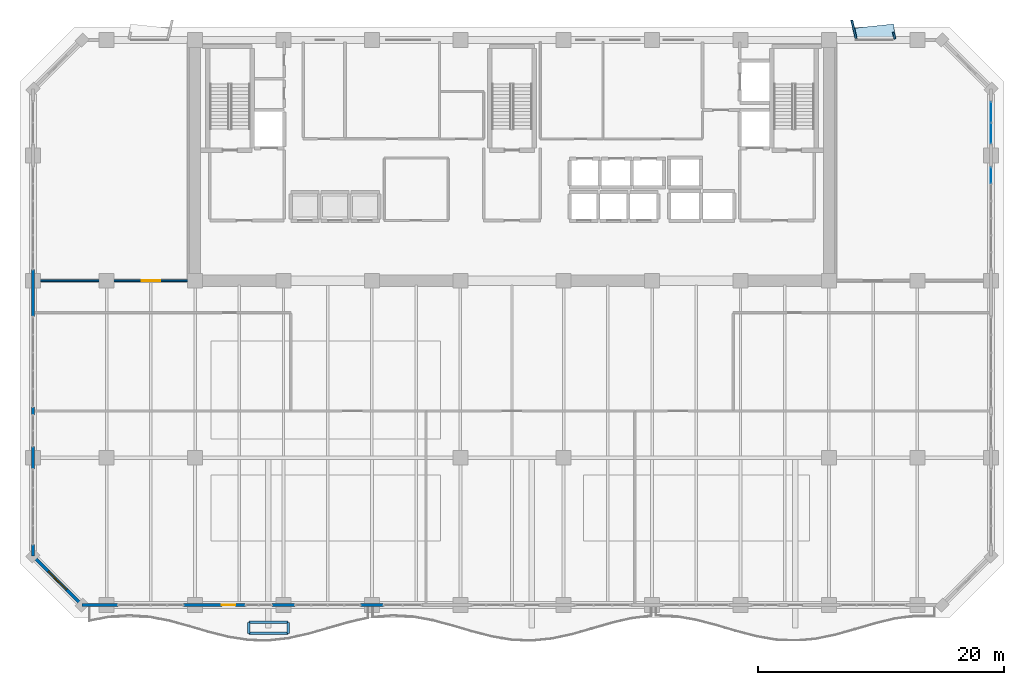
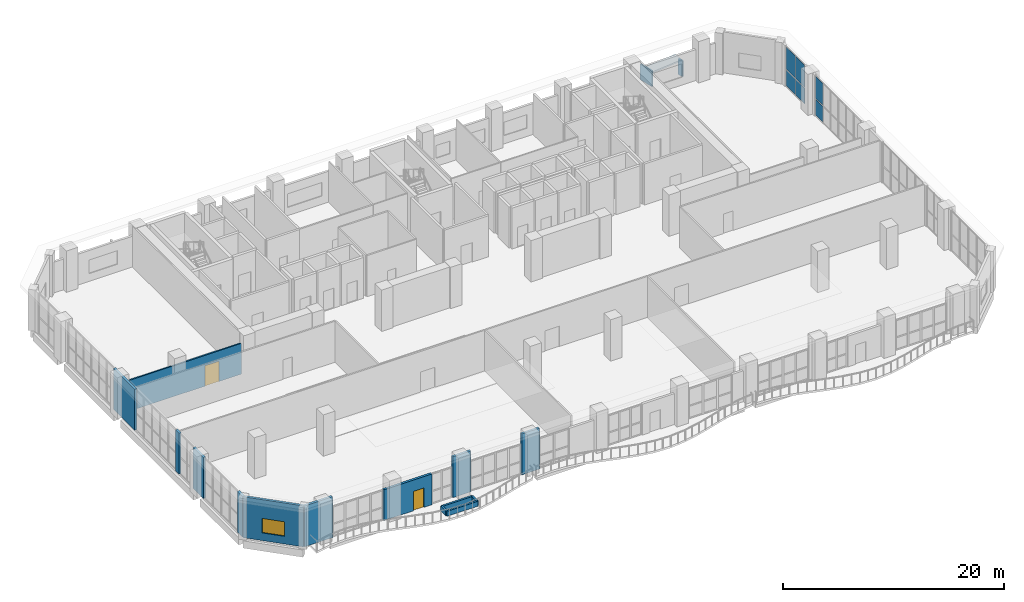
# One storey, part 28 of 37: 14 walls, 9 plates, 2 doors, 1 window, 3 openings, 2 elements without a shape of their own.
"""IFC4 building model written with IfcOpenShell, lengths in metres."""

from ifc_helpers import new_model, si_unit, direction, frame, frame_2d, origin, origin_2d, place, context, subcontext, project, spatial, rectangle, extrude, material, layer, layer_set, type_object, element, fill, aggregate, save


model = new_model("IFC4")

# Units and contexts
model_context = context("Model", 3, precision=1e-05, world=origin(), true_north=direction((0.0, 1.0)))
body_context = subcontext(model_context, "Body", "Model", "MODEL_VIEW")
ifc_project = project(units=[si_unit("LENGTHUNIT", "METRE"), si_unit("AREAUNIT", "SQUARE_METRE"), si_unit("VOLUMEUNIT", "CUBIC_METRE"), si_unit("PLANEANGLEUNIT", "RADIAN"), si_unit("MASSUNIT", "GRAM", prefix="KILO")], contexts=[model_context])

# Site, building, storey
site_placement = place(None, origin())
site = spatial("IfcSite", under=ifc_project, at=site_placement, CompositionType="ELEMENT")
building_placement = place(site_placement, origin())
building = spatial("IfcBuilding", under=site, at=building_placement, Name="Kaelvorn Grand Hotel", CompositionType="ELEMENT")
storey_placement = place(building_placement, frame((0.0, 0.0, 224.35009765625)))
storey = spatial("IfcBuildingStorey", under=building, at=storey_placement, Name="L55", CompositionType="ELEMENT", Elevation=224.35009765625)

# Curtain wall, plates
ifc_material_1 = material(Name="Anodised Aluminium", Category="aluminium")
ifc_layer_1 = layer(ifc_material_1, 0.179931640625)
ifc_layer_set_1 = layer_set([ifc_layer_1], Name="Anodised Aluminium")
curtain_wall_type = type_object("IfcCurtainWallType", Name="CW-SYS4", PredefinedType="NOTDEFINED", material=ifc_layer_set_1)
curtain_wall_1_placement = place(storey_placement, origin())
curtain_wall_1 = element("IfcCurtainWall", 1, at=curtain_wall_1_placement, inside=storey, type_object=curtain_wall_type, Name="L55 Unitised Curtain Wall CW4 (CW-L55-E-04)", PredefinedType="NOTDEFINED")
ifc_material_2 = material(Name="Laminated Low-E Glass", Category="glass")
ifc_layer_2 = layer(ifc_material_2, 0.028076171875)
ifc_layer_set_2 = layer_set([ifc_layer_2], Name="Laminated Low-E Glass")
plate_type_1 = type_object("IfcPlateType", Name="CW-SYS4-PAN", PredefinedType="CURTAIN_PANEL", material=ifc_layer_set_2)
plate_1_placement = place(storey_placement, frame((81.0, 37.9658203125, 0.135009765625), z_axis=(0.0, 0.0, 1.0), x_axis=(0.0, 1.0, 0.0)))
plate_1 = element("IfcPlate", 2, at=plate_1_placement, type_object=plate_type_1, Name="CW4 panel 6.1", PredefinedType="CURTAIN_PANEL", context=body_context, shape_type="SweptSolid", body=[
    extrude(rectangle(XDim=1.288330078125, YDim=0.028076171875, at=origin_2d()), origin(), (0.0, 0.0, 1.0), 1.69580078125),
])
plate_2_placement = place(storey_placement, frame((81.0, 37.9658203125, 1.9658203125), z_axis=(0.0, 0.0, 1.0), x_axis=(0.0, 1.0, 0.0)))
plate_2 = element("IfcPlate", 3, at=plate_2_placement, type_object=plate_type_1, Name="CW4 panel 6.2", PredefinedType="CURTAIN_PANEL", context=body_context, shape_type="SweptSolid", body=[
    extrude(rectangle(XDim=1.288330078125, YDim=0.028076171875, at=origin_2d()), origin(), (0.0, 0.0, 1.0), 2.419189453125),
])
aggregate(curtain_wall_1, [plate_1, plate_2])

curtain_wall_2_placement = place(storey_placement, origin())
curtain_wall_2 = element("IfcCurtainWall", 4, at=curtain_wall_2_placement, inside=storey, type_object=curtain_wall_type, Name="L55 Unitised Curtain Wall CW4 (CW-L55-E-05)", PredefinedType="NOTDEFINED")
plate_3_placement = place(storey_placement, frame((81.0, 41.407470703125, 0.135009765625), z_axis=(0.0, 0.0, 1.0), x_axis=(0.0, 1.0, 0.0)))
plate_3 = element("IfcPlate", 5, at=plate_3_placement, type_object=plate_type_1, Name="CW4 panel 1.1", PredefinedType="CURTAIN_PANEL", context=body_context, shape_type="SweptSolid", body=[
    extrude(rectangle(XDim=1.635009765625, YDim=0.028076171875, at=origin_2d()), origin(), (0.0, 0.0, 1.0), 1.69580078125),
])
plate_4_placement = place(storey_placement, frame((81.0, 41.407470703125, 1.9658203125), z_axis=(0.0, 0.0, 1.0), x_axis=(0.0, 1.0, 0.0)))
plate_4 = element("IfcPlate", 6, at=plate_4_placement, type_object=plate_type_1, Name="CW4 panel 1.2", PredefinedType="CURTAIN_PANEL", context=body_context, shape_type="SweptSolid", body=[
    extrude(rectangle(XDim=1.635009765625, YDim=0.028076171875, at=origin_2d()), origin(), (0.0, 0.0, 1.0), 2.419189453125),
])
plate_5_placement = place(storey_placement, frame((81.0, 43.112548828125, 0.135009765625), z_axis=(0.0, 0.0, 1.0), x_axis=(0.0, 1.0, 0.0)))
plate_5 = element("IfcPlate", 7, at=plate_5_placement, type_object=plate_type_1, Name="CW4 panel 2.1", PredefinedType="CURTAIN_PANEL", context=body_context, shape_type="SweptSolid", body=[
    extrude(rectangle(XDim=1.635009765625, YDim=0.028076171875, at=origin_2d()), origin(), (0.0, 0.0, 1.0), 1.69580078125),
])
plate_6_placement = place(storey_placement, frame((81.0, 43.112548828125, 1.9658203125), z_axis=(0.0, 0.0, 1.0), x_axis=(0.0, 1.0, 0.0)))
plate_6 = element("IfcPlate", 8, at=plate_6_placement, type_object=plate_type_1, Name="CW4 panel 2.2", PredefinedType="CURTAIN_PANEL", context=body_context, shape_type="SweptSolid", body=[
    extrude(rectangle(XDim=1.635009765625, YDim=0.028076171875, at=origin_2d()), origin(), (0.0, 0.0, 1.0), 2.419189453125),
])
aggregate(curtain_wall_2, [plate_3, plate_4, plate_5, plate_6])

# Plates
ifc_material_3 = material(Name="Precast concrete C45/55", Category="concrete")
ifc_layer_3 = layer(ifc_material_3, 0.159912109375)
ifc_layer_set_3 = layer_set([ifc_layer_3], Name="Precast concrete C45/55")
plate_type_2 = type_object("IfcPlateType", Name="PL-FRAME-DEEP-1550", PredefinedType="USERDEFINED", material=ifc_layer_set_3)
plate_7_placement = place(storey_placement, frame((69.8349609375, 49.85498046875, 0.73974609375), z_axis=(0.0, 0.0, 1.0), x_axis=(0.972369920398, 0.233445363856, 0.0)))
element("IfcPlate", 9, at=plate_7_placement, inside=storey, type_object=plate_type_2, Name="L55 Tilted Precast Window Frame Fin L-N02", ObjectType="FLANGE_PLATE", PredefinedType="USERDEFINED", context=body_context, shape_type="SweptSolid", body=[
    extrude(rectangle(XDim=0.159912109375, YDim=1.550048828125, at=origin_2d()), origin(), (0.0, 0.0, 1.0), 1.719970703125),
])
ifc_layer_4 = layer(ifc_material_3, 0.159912109375)
ifc_layer_set_4 = layer_set([ifc_layer_4], Name="Precast concrete C45/55")
plate_type_3 = type_object("IfcPlateType", Name="PL-FRAME-HEAD-1050", PredefinedType="USERDEFINED", material=ifc_layer_set_4)
plate_8_placement = place(storey_placement, frame((71.47509765625, 49.60498046875, 2.35009765625), z_axis=(0.0, 0.0, 1.0), x_axis=(0.994384215926, 0.105830199459, 0.0)))
element("IfcPlate", 10, at=plate_8_placement, inside=storey, type_object=plate_type_3, Name="L55 Precast Window Frame Head Hood H-N02", ObjectType="FLANGE_PLATE", PredefinedType="USERDEFINED", context=body_context, shape_type="SweptSolid", body=[
    extrude(rectangle(XDim=3.320068359375, YDim=1.050048828125, at=origin_2d()), origin(), (0.0, 0.0, 1.0), 0.159912109375),
])
ifc_layer_5 = layer(ifc_material_3, 0.159912109375)
ifc_layer_set_5 = layer_set([ifc_layer_5], Name="Precast concrete C45/55")
plate_type_4 = type_object("IfcPlateType", Name="PL-FRAME-SHAL-550", PredefinedType="USERDEFINED", material=ifc_layer_set_5)
plate_9_placement = place(storey_placement, frame((73.114990234375, 49.35498046875, 0.73974609375), z_axis=(0.0, 0.0, 1.0), x_axis=(0.972369920398, 0.233445363856, 0.0)))
element("IfcPlate", 11, at=plate_9_placement, inside=storey, type_object=plate_type_4, Name="L55 Tilted Precast Window Frame Fin R-N02", ObjectType="FLANGE_PLATE", PredefinedType="USERDEFINED", context=body_context, shape_type="SweptSolid", body=[
    extrude(rectangle(XDim=0.159912109375, YDim=0.550048828125, at=origin_2d()), origin(), (0.0, 0.0, 1.0), 1.719970703125),
])

# Wall
ifc_material_4 = material(Name="Concrete C40/50", Category="concrete")
ifc_layer_6 = layer(ifc_material_4, 0.239990234375)
ifc_layer_set_6 = layer_set([ifc_layer_6], Name="Concrete C40/50")
wall_type_1 = type_object("IfcWallType", Name="WL-EXT-240-C40", PredefinedType="SOLIDWALL", material=ifc_layer_set_6)
wall_1_placement = place(storey_placement, frame((7.0, 3.0, 0.0), z_axis=(0.0, 0.0, 1.0), x_axis=(1.0, 0.0, 0.0)))
element("IfcWall", 12, at=wall_1_placement, inside=storey, type_object=wall_type_1, Name="L55 Exterior Architectural Concrete Wall 01 Pier 1", PredefinedType="SOLIDWALL", context=body_context, shape_type="SweptSolid", body=[
    extrude(rectangle(XDim=2.925048828125, YDim=0.239990234375, at=frame_2d((1.46240234375, 0.0))), origin(), (0.0, 0.0, 1.0), 4.52001953125),
])

# Wall, opening, door
wall_2_placement = place(storey_placement, frame((15.27490234375, 3.0, 0.0), z_axis=(0.0, 0.0, 1.0), x_axis=(1.0, 0.0, 0.0)))
wall_2 = element("IfcWall", 13, at=wall_2_placement, inside=storey, type_object=wall_type_1, Name="L55 Exterior Architectural Concrete Wall 01 Pier 2", PredefinedType="SOLIDWALL", context=body_context, shape_type="SweptSolid", body=[
    extrude(rectangle(XDim=5.013427734375, YDim=0.239990234375, at=frame_2d((2.5068359375, 0.0))), origin(), (0.0, 0.0, 1.0), 3.39990234375),
])
opening_1_placement = place(wall_2_placement, frame((3.1083984375, 0.0, 0.0)))
opening_1 = element("IfcOpeningElement", 14, at=opening_1_placement, cuts=wall_2, Name="Opening DE2", PredefinedType="OPENING", context=body_context, shape_type="SweptSolid", body=[
    extrude(rectangle(XDim=1.10009765625, YDim=2.14990234375, at=frame_2d((0.550048828125, 1.074951171875))), frame((0.0, 0.1298828125, 0.0), z_axis=(0.0, -1.0, 0.0), x_axis=(1.0, 0.0, 0.0)), (0.0, 0.0, 1.0), 0.260009765625),
])
door_type_1 = type_object("IfcDoorType", Name="DR-EXT-BALC-1100x2150", OperationType="NOTDEFINED", PredefinedType="DOOR", material=ifc_material_1)
door_1_placement = place(opening_1_placement, origin())
door_1 = element("IfcDoor", 15, at=door_1_placement, inside=storey, type_object=door_type_1, Name="L55 Scalloped Balcony Glazed Door DE2-1", OperationType="SINGLE_SWING_RIGHT", OverallHeight=2.14990234375, OverallWidth=1.10009765625, PredefinedType="DOOR", context=body_context, shape_type="SweptSolid", body=[
    extrude(rectangle(XDim=1.10009765625, YDim=2.14990234375, at=frame_2d((0.550048828125, 1.074951171875))), frame((0.0, 0.02490234375, 0.0), z_axis=(0.0, -1.0, 0.0), x_axis=(1.0, 0.0, 0.0)), (0.0, 0.0, 1.0), 0.050048828125),
])
fill(opening_1, door_1)

# Walls
for number, where, z_axis, x_axis, name in (
    (16, (22.47509765625, 3.0, 0.0), (0.0, 0.0, 1.0), (1.0, 0.0, 0.0), "L55 Exterior Architectural Concrete Wall 01 Pier 3"),
    (17, (29.675048828125, 3.0, 0.0), (0.0, 0.0, 1.0), (1.0, 0.0, 0.0), "L55 Exterior Architectural Concrete Wall 01 Pier 4"),
):
    element("IfcWall", number, at=place(storey_placement, frame(where, z_axis=z_axis, x_axis=x_axis)), inside=storey, type_object=wall_type_1, Name=name, PredefinedType="SOLIDWALL", context=body_context, shape_type="SweptSolid", body=[
        extrude(rectangle(XDim=1.849853515625, YDim=0.239990234375, at=frame_2d((0.9248046875, 0.0))), origin(), (0.0, 0.0, 1.0), 4.52001953125),
    ])
wall_3_placement = place(storey_placement, frame((3.0, 30.324951171875, 0.0), z_axis=(0.0, 0.0, 1.0), x_axis=(0.0, -1.0, 0.0)))
element("IfcWall", 18, at=wall_3_placement, inside=storey, type_object=wall_type_1, Name="L55 Exterior Architectural Concrete Wall 07 Pier 3", PredefinedType="SOLIDWALL", context=body_context, shape_type="SweptSolid", body=[
    extrude(rectangle(XDim=3.849853515625, YDim=0.239990234375, at=frame_2d((1.9248046875, 0.0))), origin(), (0.0, 0.0, 1.0), 4.52001953125),
])
wall_4_placement = place(storey_placement, frame((3.0, 19.125, 0.0), z_axis=(0.0, 0.0, 1.0), x_axis=(0.0, -1.0, 0.0)))
element("IfcWall", 19, at=wall_4_placement, inside=storey, type_object=wall_type_1, Name="L55 Exterior Architectural Concrete Wall 07 Pier 4", PredefinedType="SOLIDWALL", context=body_context, shape_type="SweptSolid", body=[
    extrude(rectangle(XDim=0.64990234375, YDim=0.239990234375, at=frame_2d((0.324951171875, 0.0))), origin(), (0.0, 0.0, 1.0), 4.52001953125),
])
wall_5_placement = place(storey_placement, frame((3.0, 15.925048828125, 0.0), z_axis=(0.0, 0.0, 1.0), x_axis=(0.0, -1.0, 0.0)))
element("IfcWall", 20, at=wall_5_placement, inside=storey, type_object=wall_type_1, Name="L55 Exterior Architectural Concrete Wall 07 Pier 5", PredefinedType="SOLIDWALL", context=body_context, shape_type="SweptSolid", body=[
    extrude(rectangle(XDim=1.85009765625, YDim=0.239990234375, at=frame_2d((0.925048828125, 0.0))), origin(), (0.0, 0.0, 1.0), 4.52001953125),
])
wall_6_placement = place(storey_placement, frame((3.0, 7.925048828125, 0.0), z_axis=(0.0, 0.0, 1.0), x_axis=(0.0, -1.0, 0.0)))
element("IfcWall", 21, at=wall_6_placement, inside=storey, type_object=wall_type_1, Name="L55 Exterior Architectural Concrete Wall 07 Pier 6", PredefinedType="SOLIDWALL", context=body_context, shape_type="SweptSolid", body=[
    extrude(rectangle(XDim=0.925048828125, YDim=0.239990234375, at=frame_2d((0.46240234375, 0.0))), origin(), (0.0, 0.0, 1.0), 4.52001953125),
])

# Wall, opening, window
wall_7_placement = place(storey_placement, frame((3.0, 7.0, 0.0), z_axis=(0.0, 0.0, 1.0), x_axis=(0.707106781187, -0.707106781187, 0.0)))
wall_7 = element("IfcWall", 22, at=wall_7_placement, inside=storey, type_object=wall_type_1, Name="L55 Exterior Architectural Concrete Wall 08", PredefinedType="SOLIDWALL", context=body_context, shape_type="SweptSolid", body=[
    extrude(rectangle(XDim=5.65673828125, YDim=0.239990234375, at=frame_2d((2.828369140625, 0.0))), origin(), (0.0, 0.0, 1.0), 4.52001953125),
])
opening_2_placement = place(wall_7_placement, frame((1.7783203125, 0.0, 0.85009765625)))
opening_2 = element("IfcOpeningElement", 23, at=opening_2_placement, cuts=wall_7, Name="Opening W7", PredefinedType="OPENING", context=body_context, shape_type="SweptSolid", body=[
    extrude(rectangle(XDim=2.10009765625, YDim=1.60009765625, at=frame_2d((1.050048828125, 0.800048828125))), frame((0.0, 0.1298828125, 0.0), z_axis=(0.0, -1.0, 0.0), x_axis=(1.0, 0.0, 0.0)), (0.0, 0.0, 1.0), 0.260009765625),
])
window_type = type_object("IfcWindowType", Name="WIN-CHM-2100x1600", PartitioningType="SINGLE_PANEL", PredefinedType="WINDOW", material=ifc_material_2)
window_placement = place(opening_2_placement, origin())
window = element("IfcWindow", 24, at=window_placement, inside=storey, type_object=window_type, Name="L55 Chamfered 45-Degree Corner Window SW", OverallHeight=1.60009765625, OverallWidth=2.10009765625, PartitioningType="SINGLE_PANEL", PredefinedType="WINDOW", context=body_context, shape_type="SweptSolid", body=[
    extrude(rectangle(XDim=2.10009765625, YDim=1.60009765625, at=frame_2d((1.050048828125, 0.800048828125))), frame((0.0, 0.030029296875, 0.0), z_axis=(0.0, -1.0, 0.0), x_axis=(1.0, 0.0, 0.0)), (0.0, 0.0, 1.0), 0.06005859375),
])
fill(opening_2, window)

# Wall, opening, door
ifc_material_5 = material(Name="Acoustic Gypsum & Stud Partition")
ifc_layer_7 = layer(ifc_material_5, 0.14990234375)
ifc_layer_set_7 = layer_set([ifc_layer_7], Name="Acoustic Gypsum & Stud Partition")
wall_type_2 = type_object("IfcWallType", Name="WL-PART-150-EI60", PredefinedType="PARTITIONING", material=ifc_layer_set_7)
wall_8_placement = place(storey_placement, frame((3.14990234375, 29.39990234375, 0.0), z_axis=(0.0, 0.0, 1.0), x_axis=(1.0, 0.0, 0.0)))
wall_8 = element("IfcWall", 25, at=wall_8_placement, inside=storey, type_object=wall_type_2, Name="L55 Club Business Library S Partition", PredefinedType="PARTITIONING", context=body_context, shape_type="SweptSolid", body=[
    extrude(rectangle(XDim=12.5, YDim=0.14990234375, at=frame_2d((6.25, 0.0))), origin(), (0.0, 0.0, 1.0), 3.39990234375),
])
opening_3_placement = place(wall_8_placement, frame((8.699951171875, 0.0, 0.0)))
opening_3 = element("IfcOpeningElement", 26, at=opening_3_placement, cuts=wall_8, Name="Opening DI5", PredefinedType="OPENING", context=body_context, shape_type="SweptSolid", body=[
    extrude(rectangle(XDim=1.5, YDim=2.25, at=frame_2d((0.75, 1.125))), frame((0.0, 0.0849609375, 0.0), z_axis=(0.0, -1.0, 0.0), x_axis=(1.0, 0.0, 0.0)), (0.0, 0.0, 1.0), 0.169921875),
])
ifc_material_6 = material(Name="Timber Veneer Fire Leaf", Category="wood")
door_type_2 = type_object("IfcDoorType", Name="DR-INT-SALON-1500x2250", OperationType="DOUBLE_DOOR_SINGLE_SWING", PredefinedType="DOOR", material=ifc_material_6)
door_2_placement = place(opening_3_placement, origin())
door_2 = element("IfcDoor", 27, at=door_2_placement, inside=storey, type_object=door_type_2, Name="L55 Club Business Library Door", OperationType="DOUBLE_DOOR_SINGLE_SWING", OverallHeight=2.25, OverallWidth=1.5, PredefinedType="DOOR", context=body_context, shape_type="SweptSolid", body=[
    extrude(rectangle(XDim=1.5, YDim=2.25, at=frame_2d((0.75, 1.125))), frame((0.0, 0.02490234375, 0.0), z_axis=(0.0, -1.0, 0.0), x_axis=(1.0, 0.0, 0.0)), (0.0, 0.0, 1.0), 0.050048828125),
])
fill(opening_3, door_2)

# Walls
ifc_layer_8 = layer(ifc_material_4, 0.199951171875)
ifc_layer_set_8 = layer_set([ifc_layer_8], Name="Concrete C40/50")
wall_type_3 = type_object("IfcWallType", Name="WL-TREE-PLANTER-200", PredefinedType="PARAPET", material=ifc_layer_set_8)
wall_9_placement = place(storey_placement, frame((20.571533203125, 0.699951171875, 0.0), z_axis=(0.0, 0.0, 1.0), x_axis=(1.0, 0.0, 0.0)))
element("IfcWall", 28, at=wall_9_placement, inside=storey, type_object=wall_type_3, Name="L55 Planted Balcony Structural TREE PLANTER Kerb 1-S", PredefinedType="PARAPET", context=body_context, shape_type="SweptSolid", body=[
    extrude(rectangle(XDim=3.199951171875, YDim=0.199951171875, at=frame_2d((1.60009765625, 0.0))), origin(), (0.0, 0.0, 1.0), 0.5498046875),
])
wall_10_placement = place(storey_placement, frame((23.771484375, 0.699951171875, 0.0), z_axis=(0.0, 0.0, 1.0), x_axis=(0.0, 1.0, 0.0)))
element("IfcWall", 29, at=wall_10_placement, inside=storey, type_object=wall_type_3, Name="L55 Planted Balcony Structural TREE PLANTER Kerb 1-E", PredefinedType="PARAPET", context=body_context, shape_type="SweptSolid", body=[
    extrude(rectangle(XDim=0.900146484375, YDim=0.199951171875, at=frame_2d((0.4501953125, 0.0))), origin(), (0.0, 0.0, 1.0), 0.5498046875),
])
wall_11_placement = place(storey_placement, frame((23.771484375, 1.60009765625, 0.0), z_axis=(0.0, 0.0, 1.0), x_axis=(-1.0, 0.0, 0.0)))
element("IfcWall", 30, at=wall_11_placement, inside=storey, type_object=wall_type_3, Name="L55 Planted Balcony Structural TREE PLANTER Kerb 1-N", PredefinedType="PARAPET", context=body_context, shape_type="SweptSolid", body=[
    extrude(rectangle(XDim=3.199951171875, YDim=0.199951171875, at=frame_2d((1.60009765625, 0.0))), origin(), (0.0, 0.0, 1.0), 0.5498046875),
])
wall_12_placement = place(storey_placement, frame((20.571533203125, 1.60009765625, 0.0), z_axis=(0.0, 0.0, 1.0), x_axis=(0.0, -1.0, 0.0)))
element("IfcWall", 31, at=wall_12_placement, inside=storey, type_object=wall_type_3, Name="L55 Planted Balcony Structural TREE PLANTER Kerb 1-W", PredefinedType="PARAPET", context=body_context, shape_type="SweptSolid", body=[
    extrude(rectangle(XDim=0.900146484375, YDim=0.199951171875, at=frame_2d((0.4501953125, 0.0))), origin(), (0.0, 0.0, 1.0), 0.5498046875),
])

save(model, "model.ifc")
